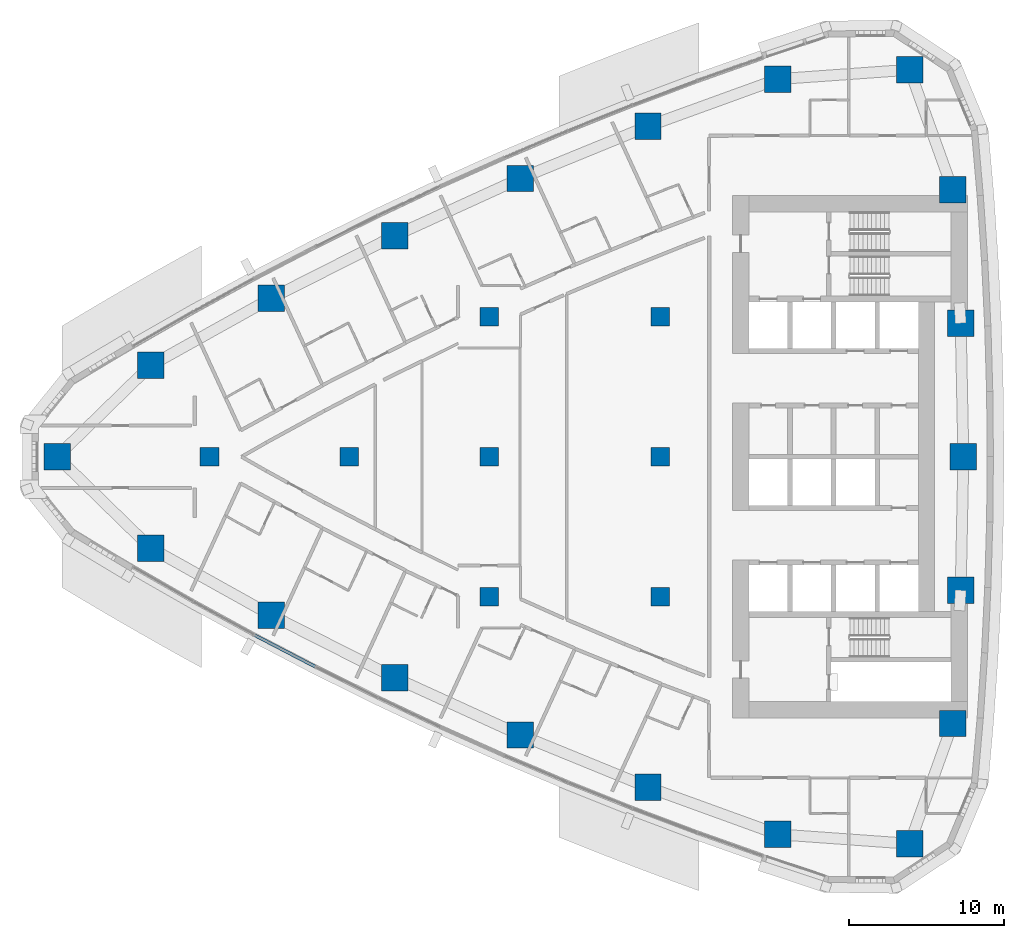
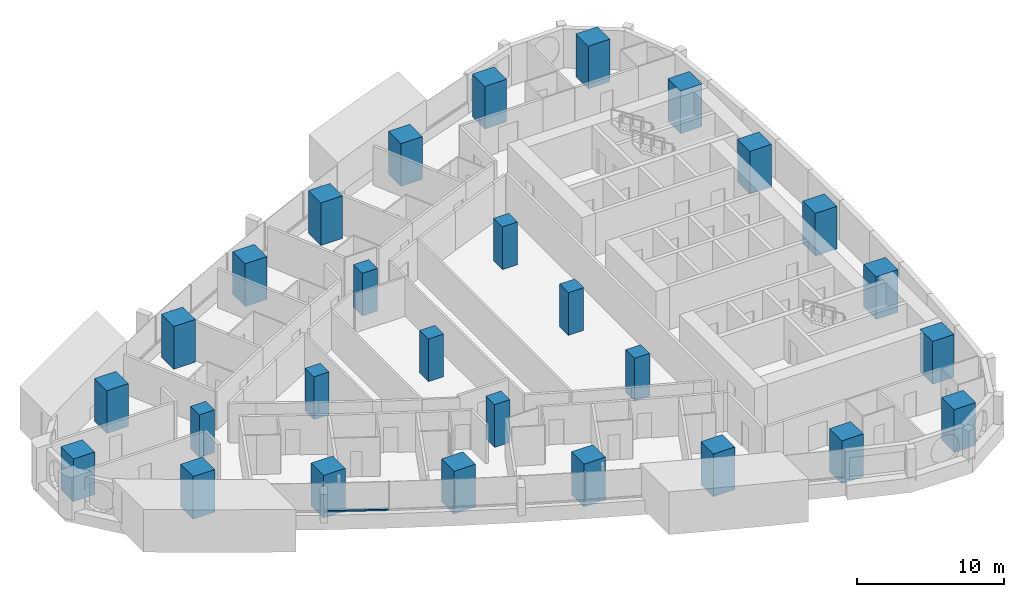
# One storey, part 1 of 17: 28 columns, 1 member, 1 element without a shape of its own.
"""IFC4 building model written with IfcOpenShell, lengths in metres."""

from ifc_helpers import new_model, si_unit, direction, frame, origin, origin_2d, place, context, subcontext, project, spatial, rectangle, extrude, material, layer, layer_set, material_profile, profile_set, type_object, element, aggregate, save


model = new_model("IFC4")

# Units and contexts
model_context = context("Model", 3, precision=1e-05, world=origin(), true_north=direction((0.0, 1.0)))
body_context = subcontext(model_context, "Body", "Model", "MODEL_VIEW")
ifc_project = project(units=[si_unit("LENGTHUNIT", "METRE"), si_unit("AREAUNIT", "SQUARE_METRE"), si_unit("VOLUMEUNIT", "CUBIC_METRE"), si_unit("PLANEANGLEUNIT", "RADIAN"), si_unit("MASSUNIT", "GRAM", prefix="KILO")], contexts=[model_context])

# Site, building, storey
site_placement = place(None, origin())
site = spatial("IfcSite", under=ifc_project, at=site_placement, CompositionType="ELEMENT")
building_placement = place(site_placement, origin())
building = spatial("IfcBuilding", under=site, at=building_placement, Name="Ostrand Prow Hotel Tower", CompositionType="ELEMENT")
storey_placement = place(building_placement, frame((0.0, 0.0, 102.64990234375)))
storey = spatial("IfcBuildingStorey", under=building, at=storey_placement, Name="L24", CompositionType="ELEMENT", Elevation=102.64990234375)

# Columns
ifc_material_1 = material(Name="Concrete C80/95", Category="concrete")
ifc_material_profile_1 = material_profile(ifc_material_1, rectangle(XDim=1.199951171875, YDim=1.199951171875, at=origin_2d()), Name="RC 1200x1200")
ifc_profile_set_1 = profile_set([ifc_material_profile_1], Name="Concrete C80/95")
column_type_1 = type_object("IfcColumnType", Name="Interior column 1200x1200 C80/95", PredefinedType="COLUMN", material=ifc_profile_set_1)
for number, where, z_axis, x_axis, name in (
    (1, (16.0, 0.0, 0.0), (0.0, 0.0, 1.0), (1.0, 0.0, 0.0), "Interior column 16C0"),
    (2, (25.0, 0.0, 0.0), (0.0, 0.0, 1.0), (1.0, 0.0, 0.0), "Interior column 25C0"),
    (3, (34.0, -9.0, 0.0), (0.0, 0.0, 1.0), (1.0, 0.0, 0.0), "Interior column 34S9"),
    (4, (34.0, 0.0, 0.0), (0.0, 0.0, 1.0), (1.0, 0.0, 0.0), "Interior column 34C0"),
    (5, (34.0, 9.0, 0.0), (0.0, 0.0, 1.0), (1.0, 0.0, 0.0), "Interior column 34N9"),
    (6, (45.0, -9.0, 0.0), (0.0, 0.0, 1.0), (1.0, 0.0, 0.0), "Interior column 45S9"),
    (7, (45.0, 0.0, 0.0), (0.0, 0.0, 1.0), (1.0, 0.0, 0.0), "Interior column 45C0"),
    (8, (45.0, 9.0, 0.0), (0.0, 0.0, 1.0), (1.0, 0.0, 0.0), "Interior column 45N9"),
):
    element("IfcColumn", number, at=place(storey_placement, frame(where, z_axis=z_axis, x_axis=x_axis)), inside=storey, type_object=column_type_1, Name=name, PredefinedType="COLUMN", context=body_context, shape_type="SweptSolid", body=[
        extrude(rectangle(XDim=1.199951171875, YDim=1.199951171875, at=origin_2d()), origin(), (0.0, 0.0, 1.0), 3.550048828125),
    ])
ifc_material_2 = material(Name="Concrete C80/95", Category="concrete")
ifc_material_profile_2 = material_profile(ifc_material_2, rectangle(XDim=1.699951171875, YDim=1.699951171875, at=origin_2d()), Name="RC 1700x1700")
ifc_profile_set_2 = profile_set([ifc_material_profile_2], Name="Concrete C80/95")
column_type_2 = type_object("IfcColumnType", Name="Stone-faced mega column 1700x1700 C80/95", PredefinedType="COLUMN", material=ifc_profile_set_2)
for number, where, z_axis, x_axis, name in (
    (9, (6.193115234375, 0.0, 0.0), (0.0, 0.0, 1.0), (1.0, 0.0, 0.0), "Mega column P"),
    (10, (12.221435546875, -5.876220703125, 0.0), (0.0, 0.0, 1.0), (1.0, 0.0, 0.0), "Mega column S1"),
    (11, (19.980712890625, -10.20166015625, 0.0), (0.0, 0.0, 1.0), (1.0, 0.0, 0.0), "Mega column S2"),
    (12, (27.906982421875, -14.212158203125, 0.0), (0.0, 0.0, 1.0), (1.0, 0.0, 0.0), "Mega column S3"),
    (13, (35.98828125, -17.901611328125, 0.0), (0.0, 0.0, 1.0), (1.0, 0.0, 0.0), "Mega column S4"),
    (14, (44.210693359375, -21.263671875, 0.0), (0.0, 0.0, 1.0), (1.0, 0.0, 0.0), "Mega column S5"),
    (15, (52.561767578125, -24.29296875, 0.0), (0.0, 0.0, 1.0), (1.0, 0.0, 0.0), "Mega column S6"),
    (16, (61.0400390625, -24.89697265625, 0.0), (0.0, 0.0, 1.0), (1.0, 0.0, 0.0), "Mega column SE"),
    (17, (63.815673828125, -17.16357421875, 0.0), (0.0, 0.0, 1.0), (1.0, 0.0, 0.0), "Mega column B1"),
    (18, (64.328857421875, -8.588623046875, 0.0), (0.0, 0.0, 1.0), (1.0, 0.0, 0.0), "Mega column B2"),
    (19, (64.5, 0.0, 0.0), (0.0, 0.0, 1.0), (1.0, 0.0, 0.0), "Mega column B3"),
    (20, (64.328857421875, 8.588623046875, 0.0), (0.0, 0.0, 1.0), (1.0, 0.0, 0.0), "Mega column B4"),
    (21, (63.815673828125, 17.16357421875, 0.0), (0.0, 0.0, 1.0), (1.0, 0.0, 0.0), "Mega column B5"),
    (22, (61.0400390625, 24.89697265625, 0.0), (0.0, 0.0, 1.0), (1.0, 0.0, 0.0), "Mega column NE"),
    (23, (52.561767578125, 24.29296875, 0.0), (0.0, 0.0, 1.0), (1.0, 0.0, 0.0), "Mega column N1"),
    (24, (44.210693359375, 21.263671875, 0.0), (0.0, 0.0, 1.0), (1.0, 0.0, 0.0), "Mega column N2"),
    (25, (35.98828125, 17.901611328125, 0.0), (0.0, 0.0, 1.0), (1.0, 0.0, 0.0), "Mega column N3"),
    (26, (27.906982421875, 14.212158203125, 0.0), (0.0, 0.0, 1.0), (1.0, 0.0, 0.0), "Mega column N4"),
    (27, (19.980712890625, 10.20166015625, 0.0), (0.0, 0.0, 1.0), (1.0, 0.0, 0.0), "Mega column N5"),
    (28, (12.221435546875, 5.876220703125, 0.0), (0.0, 0.0, 1.0), (1.0, 0.0, 0.0), "Mega column N6"),
):
    element("IfcColumn", number, at=place(storey_placement, frame(where, z_axis=z_axis, x_axis=x_axis)), inside=storey, type_object=column_type_2, Name=name, PredefinedType="COLUMN", context=body_context, shape_type="SweptSolid", body=[
        extrude(rectangle(XDim=1.699951171875, YDim=1.699951171875, at=origin_2d()), origin(), (0.0, 0.0, 1.0), 3.550048828125),
    ])

# Curtain wall, member
ifc_material_3 = material(Name="Insulated glass in bronze anodised frame", Category="glass")
ifc_layer = layer(ifc_material_3, 0.199951171875)
ifc_layer_set = layer_set([ifc_layer], Name="Insulated glass in bronze anodised frame")
curtain_wall_type = type_object("IfcCurtainWallType", Name="Strip curtain wall, fritted glass over bronze spandrel", PredefinedType="NOTDEFINED", material=ifc_layer_set)
curtain_wall_placement = place(storey_placement, origin())
curtain_wall = element("IfcCurtainWall", 29, at=curtain_wall_placement, inside=storey, type_object=curtain_wall_type, Name="CW1 run CWS2", PredefinedType="NOTDEFINED")
ifc_material_4 = material(Name="Bronze anodised aluminium", Category="aluminium")
ifc_material_profile_3 = material_profile(ifc_material_4, rectangle(XDim=0.199951171875, YDim=0.1201171875, at=origin_2d()), Name="Transom 120x200 bronze anodised aluminium")
ifc_profile_set_3 = profile_set([ifc_material_profile_3], Name="Bronze anodised aluminium")
member_type = type_object("IfcMemberType", Name="Transom 120x200 bronze anodised aluminium", PredefinedType="USERDEFINED", material=ifc_profile_set_3)
member_placement = place(storey_placement, frame((18.89697265625, -11.475830078125, 0.960205078125), z_axis=(0.886901787206, -0.461958028235, 0.0), x_axis=(0.461958028235, 0.886901787206, 0.0)))
member = element("IfcMember", 30, at=member_placement, type_object=member_type, Name="CW1 transom 1.1", ObjectType="TRANSOM", PredefinedType="USERDEFINED", context=body_context, shape_type="SweptSolid", body=[
    extrude(rectangle(XDim=0.199951171875, YDim=0.1201171875, at=origin_2d()), origin(), (0.0, 0.0, 1.0), 4.406005859375),
])
aggregate(curtain_wall, [member])

save(model, "model.ifc")
